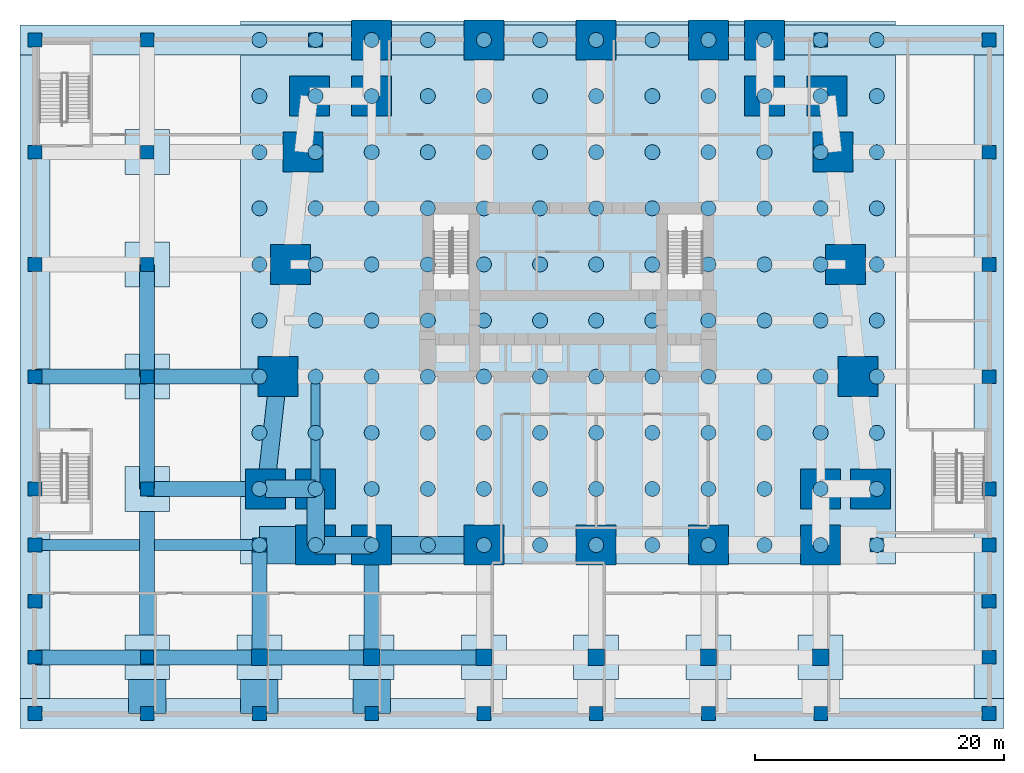
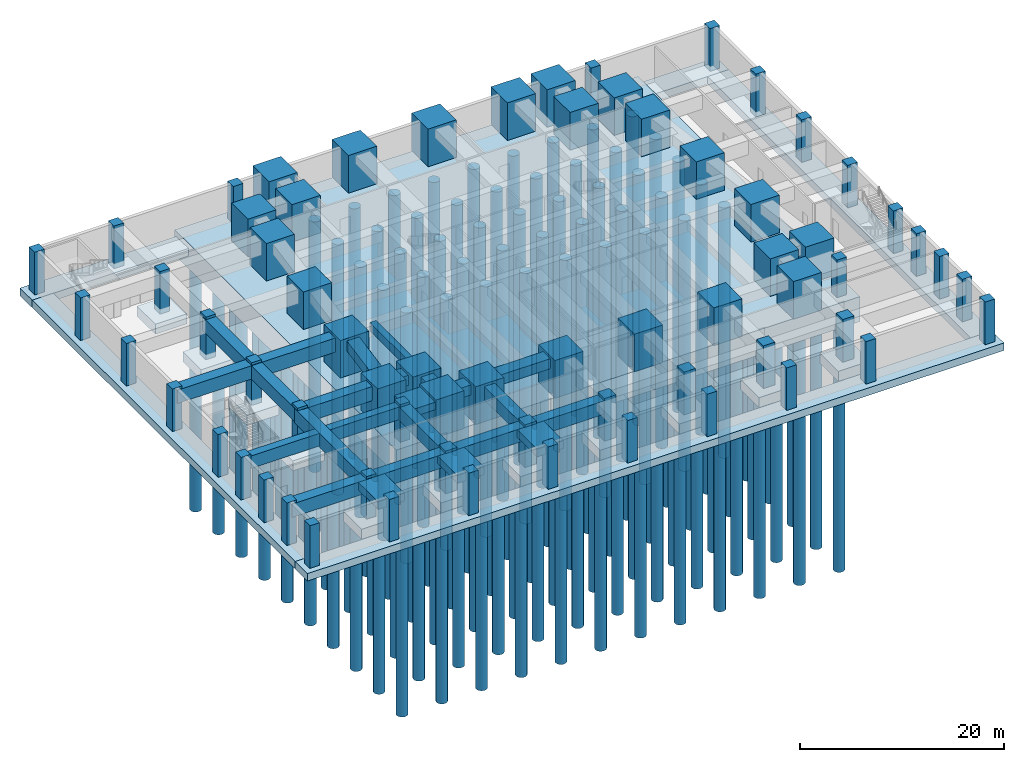
# One storey, part 1 of 9: 120 piles, 66 columns, 24 beams, 16 footings.
"""IFC4 building model written with IfcOpenShell, lengths in metres."""

from ifc_helpers import new_model, si_unit, direction, frame, origin, origin_2d, place, context, subcontext, project, spatial, polyline, rectangle, circle, outline, extrude, material, layer, layer_set, material_profile, profile_set, type_object, element, save


model = new_model("IFC4")

# Units and contexts
model_context = context("Model", 3, precision=1e-05, world=origin(), true_north=direction((0.0, 1.0)))
body_context = subcontext(model_context, "Body", "Model", "MODEL_VIEW")
ifc_project = project(units=[si_unit("LENGTHUNIT", "METRE"), si_unit("AREAUNIT", "SQUARE_METRE"), si_unit("VOLUMEUNIT", "CUBIC_METRE"), si_unit("PLANEANGLEUNIT", "RADIAN"), si_unit("MASSUNIT", "GRAM", prefix="KILO")], contexts=[model_context])

# Site, building, storey
site_placement = place(None, origin())
site = spatial("IfcSite", under=ifc_project, at=site_placement, CompositionType="ELEMENT")
building_placement = place(site_placement, origin())
building = spatial("IfcBuilding", under=site, at=building_placement, Name="Kilele Tower Hotel", CompositionType="ELEMENT")
storey_placement = place(building_placement, frame((0.0, 0.0, -9.0)))
storey = spatial("IfcBuildingStorey", under=building, at=storey_placement, Name="B2", CompositionType="ELEMENT", Elevation=-9.0)

# Piles
ifc_material_1 = material(Name="Concrete C40/50", Category="concrete")
ifc_material_profile_1 = material_profile(ifc_material_1, circle(Radius=0.60009765625, at=origin_2d()))
ifc_profile_set_1 = profile_set([ifc_material_profile_1], Name="Concrete C40/50")
pile_type = type_object("IfcPileType", Name="Bored pile 1200", PredefinedType="BORED", material=ifc_profile_set_1)
for number, where, z_axis, x_axis, name in (
    (1, (0.0, 0.0, -3.0), (0.0, 0.0, -1.0), (1.0, 0.0, 0.0), "Pile P1 5/D"),
    (2, (0.0, 4.5, -3.0), (0.0, 0.0, -1.0), (1.0, 0.0, 0.0), "Pile P1 5/E"),
    (3, (0.0, 9.0, -3.0), (0.0, 0.0, -1.0), (1.0, 0.0, 0.0), "Pile P1 5/F"),
    (4, (0.0, 13.5, -3.0), (0.0, 0.0, -1.0), (1.0, 0.0, 0.0), "Pile P1 5/G"),
    (5, (0.0, 18.0, -3.0), (0.0, 0.0, -1.0), (1.0, 0.0, 0.0), "Pile P1 5/H"),
    (6, (0.0, 22.5, -3.0), (0.0, 0.0, -1.0), (1.0, 0.0, 0.0), "Pile P1 5/J"),
    (7, (0.0, 27.0, -3.0), (0.0, 0.0, -1.0), (1.0, 0.0, 0.0), "Pile P1 5/K"),
    (8, (0.0, 31.5, -3.0), (0.0, 0.0, -1.0), (1.0, 0.0, 0.0), "Pile P1 5/L"),
    (9, (0.0, 36.0, -3.0), (0.0, 0.0, -1.0), (1.0, 0.0, 0.0), "Pile P1 5/M"),
    (10, (0.0, 40.5, -3.0), (0.0, 0.0, -1.0), (1.0, 0.0, 0.0), "Pile P1 5/N"),
    (11, (4.5, 0.0, -3.0), (0.0, 0.0, -1.0), (1.0, 0.0, 0.0), "Pile P1 6/D"),
    (12, (4.5, 4.5, -3.0), (0.0, 0.0, -1.0), (1.0, 0.0, 0.0), "Pile P1 6/E"),
    (13, (4.5, 9.0, -3.0), (0.0, 0.0, -1.0), (1.0, 0.0, 0.0), "Pile P1 6/F"),
    (14, (4.5, 13.5, -3.0), (0.0, 0.0, -1.0), (1.0, 0.0, 0.0), "Pile P1 6/G"),
    (15, (4.5, 18.0, -3.0), (0.0, 0.0, -1.0), (1.0, 0.0, 0.0), "Pile P1 6/H"),
    (16, (4.5, 22.5, -3.0), (0.0, 0.0, -1.0), (1.0, 0.0, 0.0), "Pile P1 6/J"),
    (17, (4.5, 27.0, -3.0), (0.0, 0.0, -1.0), (1.0, 0.0, 0.0), "Pile P1 6/K"),
    (18, (4.5, 31.5, -3.0), (0.0, 0.0, -1.0), (1.0, 0.0, 0.0), "Pile P1 6/L"),
    (19, (4.5, 36.0, -3.0), (0.0, 0.0, -1.0), (1.0, 0.0, 0.0), "Pile P1 6/M"),
    (20, (4.5, 40.5, -3.0), (0.0, 0.0, -1.0), (1.0, 0.0, 0.0), "Pile P1 6/N"),
    (21, (9.0, 0.0, -3.0), (0.0, 0.0, -1.0), (1.0, 0.0, 0.0), "Pile P1 7/D"),
    (22, (9.0, 4.5, -3.0), (0.0, 0.0, -1.0), (1.0, 0.0, 0.0), "Pile P1 7/E"),
    (23, (9.0, 9.0, -3.0), (0.0, 0.0, -1.0), (1.0, 0.0, 0.0), "Pile P1 7/F"),
    (24, (9.0, 13.5, -3.0), (0.0, 0.0, -1.0), (1.0, 0.0, 0.0), "Pile P1 7/G"),
    (25, (9.0, 18.0, -3.0), (0.0, 0.0, -1.0), (1.0, 0.0, 0.0), "Pile P1 7/H"),
    (26, (9.0, 22.5, -3.0), (0.0, 0.0, -1.0), (1.0, 0.0, 0.0), "Pile P1 7/J"),
    (27, (9.0, 27.0, -3.0), (0.0, 0.0, -1.0), (1.0, 0.0, 0.0), "Pile P1 7/K"),
    (28, (9.0, 31.5, -3.0), (0.0, 0.0, -1.0), (1.0, 0.0, 0.0), "Pile P1 7/L"),
    (29, (9.0, 36.0, -3.0), (0.0, 0.0, -1.0), (1.0, 0.0, 0.0), "Pile P1 7/M"),
    (30, (9.0, 40.5, -3.0), (0.0, 0.0, -1.0), (1.0, 0.0, 0.0), "Pile P1 7/N"),
    (31, (13.5, 0.0, -3.0), (0.0, 0.0, -1.0), (1.0, 0.0, 0.0), "Pile P1 8/D"),
    (32, (13.5, 4.5, -3.0), (0.0, 0.0, -1.0), (1.0, 0.0, 0.0), "Pile P1 8/E"),
    (33, (13.5, 9.0, -3.0), (0.0, 0.0, -1.0), (1.0, 0.0, 0.0), "Pile P1 8/F"),
    (34, (13.5, 13.5, -3.0), (0.0, 0.0, -1.0), (1.0, 0.0, 0.0), "Pile P1 8/G"),
    (35, (13.5, 18.0, -3.0), (0.0, 0.0, -1.0), (1.0, 0.0, 0.0), "Pile P1 8/H"),
    (36, (13.5, 22.5, -3.0), (0.0, 0.0, -1.0), (1.0, 0.0, 0.0), "Pile P1 8/J"),
    (37, (13.5, 27.0, -3.0), (0.0, 0.0, -1.0), (1.0, 0.0, 0.0), "Pile P1 8/K"),
    (38, (13.5, 31.5, -3.0), (0.0, 0.0, -1.0), (1.0, 0.0, 0.0), "Pile P1 8/L"),
    (39, (13.5, 36.0, -3.0), (0.0, 0.0, -1.0), (1.0, 0.0, 0.0), "Pile P1 8/M"),
    (40, (13.5, 40.5, -3.0), (0.0, 0.0, -1.0), (1.0, 0.0, 0.0), "Pile P1 8/N"),
    (41, (18.0, 0.0, -3.0), (0.0, 0.0, -1.0), (1.0, 0.0, 0.0), "Pile P1 9/D"),
    (42, (18.0, 4.5, -3.0), (0.0, 0.0, -1.0), (1.0, 0.0, 0.0), "Pile P1 9/E"),
    (43, (18.0, 9.0, -3.0), (0.0, 0.0, -1.0), (1.0, 0.0, 0.0), "Pile P1 9/F"),
    (44, (18.0, 13.5, -3.0), (0.0, 0.0, -1.0), (1.0, 0.0, 0.0), "Pile P1 9/G"),
    (45, (18.0, 18.0, -3.0), (0.0, 0.0, -1.0), (1.0, 0.0, 0.0), "Pile P1 9/H"),
    (46, (18.0, 22.5, -3.0), (0.0, 0.0, -1.0), (1.0, 0.0, 0.0), "Pile P1 9/J"),
    (47, (18.0, 27.0, -3.0), (0.0, 0.0, -1.0), (1.0, 0.0, 0.0), "Pile P1 9/K"),
    (48, (18.0, 31.5, -3.0), (0.0, 0.0, -1.0), (1.0, 0.0, 0.0), "Pile P1 9/L"),
    (49, (18.0, 36.0, -3.0), (0.0, 0.0, -1.0), (1.0, 0.0, 0.0), "Pile P1 9/M"),
    (50, (18.0, 40.5, -3.0), (0.0, 0.0, -1.0), (1.0, 0.0, 0.0), "Pile P1 9/N"),
    (51, (22.5, 0.0, -3.0), (0.0, 0.0, -1.0), (1.0, 0.0, 0.0), "Pile P1 10/D"),
    (52, (22.5, 4.5, -3.0), (0.0, 0.0, -1.0), (1.0, 0.0, 0.0), "Pile P1 10/E"),
    (53, (22.5, 9.0, -3.0), (0.0, 0.0, -1.0), (1.0, 0.0, 0.0), "Pile P1 10/F"),
    (54, (22.5, 13.5, -3.0), (0.0, 0.0, -1.0), (1.0, 0.0, 0.0), "Pile P1 10/G"),
    (55, (22.5, 18.0, -3.0), (0.0, 0.0, -1.0), (1.0, 0.0, 0.0), "Pile P1 10/H"),
    (56, (22.5, 22.5, -3.0), (0.0, 0.0, -1.0), (1.0, 0.0, 0.0), "Pile P1 10/J"),
    (57, (22.5, 27.0, -3.0), (0.0, 0.0, -1.0), (1.0, 0.0, 0.0), "Pile P1 10/K"),
    (58, (22.5, 31.5, -3.0), (0.0, 0.0, -1.0), (1.0, 0.0, 0.0), "Pile P1 10/L"),
    (59, (22.5, 36.0, -3.0), (0.0, 0.0, -1.0), (1.0, 0.0, 0.0), "Pile P1 10/M"),
    (60, (22.5, 40.5, -3.0), (0.0, 0.0, -1.0), (1.0, 0.0, 0.0), "Pile P1 10/N"),
    (61, (27.0, 0.0, -3.0), (0.0, 0.0, -1.0), (1.0, 0.0, 0.0), "Pile P1 11/D"),
    (62, (27.0, 4.5, -3.0), (0.0, 0.0, -1.0), (1.0, 0.0, 0.0), "Pile P1 11/E"),
    (63, (27.0, 9.0, -3.0), (0.0, 0.0, -1.0), (1.0, 0.0, 0.0), "Pile P1 11/F"),
    (64, (27.0, 13.5, -3.0), (0.0, 0.0, -1.0), (1.0, 0.0, 0.0), "Pile P1 11/G"),
    (65, (27.0, 18.0, -3.0), (0.0, 0.0, -1.0), (1.0, 0.0, 0.0), "Pile P1 11/H"),
    (66, (27.0, 22.5, -3.0), (0.0, 0.0, -1.0), (1.0, 0.0, 0.0), "Pile P1 11/J"),
    (67, (27.0, 27.0, -3.0), (0.0, 0.0, -1.0), (1.0, 0.0, 0.0), "Pile P1 11/K"),
    (68, (27.0, 31.5, -3.0), (0.0, 0.0, -1.0), (1.0, 0.0, 0.0), "Pile P1 11/L"),
    (69, (27.0, 36.0, -3.0), (0.0, 0.0, -1.0), (1.0, 0.0, 0.0), "Pile P1 11/M"),
    (70, (27.0, 40.5, -3.0), (0.0, 0.0, -1.0), (1.0, 0.0, 0.0), "Pile P1 11/N"),
    (71, (31.5, 0.0, -3.0), (0.0, 0.0, -1.0), (1.0, 0.0, 0.0), "Pile P1 12/D"),
    (72, (31.5, 4.5, -3.0), (0.0, 0.0, -1.0), (1.0, 0.0, 0.0), "Pile P1 12/E"),
    (73, (31.5, 9.0, -3.0), (0.0, 0.0, -1.0), (1.0, 0.0, 0.0), "Pile P1 12/F"),
    (74, (31.5, 13.5, -3.0), (0.0, 0.0, -1.0), (1.0, 0.0, 0.0), "Pile P1 12/G"),
    (75, (31.5, 18.0, -3.0), (0.0, 0.0, -1.0), (1.0, 0.0, 0.0), "Pile P1 12/H"),
    (76, (31.5, 22.5, -3.0), (0.0, 0.0, -1.0), (1.0, 0.0, 0.0), "Pile P1 12/J"),
    (77, (31.5, 27.0, -3.0), (0.0, 0.0, -1.0), (1.0, 0.0, 0.0), "Pile P1 12/K"),
    (78, (31.5, 31.5, -3.0), (0.0, 0.0, -1.0), (1.0, 0.0, 0.0), "Pile P1 12/L"),
    (79, (31.5, 36.0, -3.0), (0.0, 0.0, -1.0), (1.0, 0.0, 0.0), "Pile P1 12/M"),
    (80, (31.5, 40.5, -3.0), (0.0, 0.0, -1.0), (1.0, 0.0, 0.0), "Pile P1 12/N"),
    (81, (36.0, 0.0, -3.0), (0.0, 0.0, -1.0), (1.0, 0.0, 0.0), "Pile P1 13/D"),
    (82, (36.0, 4.5, -3.0), (0.0, 0.0, -1.0), (1.0, 0.0, 0.0), "Pile P1 13/E"),
    (83, (36.0, 9.0, -3.0), (0.0, 0.0, -1.0), (1.0, 0.0, 0.0), "Pile P1 13/F"),
    (84, (36.0, 13.5, -3.0), (0.0, 0.0, -1.0), (1.0, 0.0, 0.0), "Pile P1 13/G"),
    (85, (36.0, 18.0, -3.0), (0.0, 0.0, -1.0), (1.0, 0.0, 0.0), "Pile P1 13/H"),
    (86, (36.0, 22.5, -3.0), (0.0, 0.0, -1.0), (1.0, 0.0, 0.0), "Pile P1 13/J"),
    (87, (36.0, 27.0, -3.0), (0.0, 0.0, -1.0), (1.0, 0.0, 0.0), "Pile P1 13/K"),
    (88, (36.0, 31.5, -3.0), (0.0, 0.0, -1.0), (1.0, 0.0, 0.0), "Pile P1 13/L"),
    (89, (36.0, 36.0, -3.0), (0.0, 0.0, -1.0), (1.0, 0.0, 0.0), "Pile P1 13/M"),
    (90, (36.0, 40.5, -3.0), (0.0, 0.0, -1.0), (1.0, 0.0, 0.0), "Pile P1 13/N"),
    (91, (40.5, 0.0, -3.0), (0.0, 0.0, -1.0), (1.0, 0.0, 0.0), "Pile P1 14/D"),
    (92, (40.5, 4.5, -3.0), (0.0, 0.0, -1.0), (1.0, 0.0, 0.0), "Pile P1 14/E"),
    (93, (40.5, 9.0, -3.0), (0.0, 0.0, -1.0), (1.0, 0.0, 0.0), "Pile P1 14/F"),
    (94, (40.5, 13.5, -3.0), (0.0, 0.0, -1.0), (1.0, 0.0, 0.0), "Pile P1 14/G"),
    (95, (40.5, 18.0, -3.0), (0.0, 0.0, -1.0), (1.0, 0.0, 0.0), "Pile P1 14/H"),
    (96, (40.5, 22.5, -3.0), (0.0, 0.0, -1.0), (1.0, 0.0, 0.0), "Pile P1 14/J"),
    (97, (40.5, 27.0, -3.0), (0.0, 0.0, -1.0), (1.0, 0.0, 0.0), "Pile P1 14/K"),
    (98, (40.5, 31.5, -3.0), (0.0, 0.0, -1.0), (1.0, 0.0, 0.0), "Pile P1 14/L"),
    (99, (40.5, 36.0, -3.0), (0.0, 0.0, -1.0), (1.0, 0.0, 0.0), "Pile P1 14/M"),
    (100, (40.5, 40.5, -3.0), (0.0, 0.0, -1.0), (1.0, 0.0, 0.0), "Pile P1 14/N"),
    (101, (45.0, 0.0, -3.0), (0.0, 0.0, -1.0), (1.0, 0.0, 0.0), "Pile P1 15/D"),
    (102, (45.0, 4.5, -3.0), (0.0, 0.0, -1.0), (1.0, 0.0, 0.0), "Pile P1 15/E"),
    (103, (45.0, 9.0, -3.0), (0.0, 0.0, -1.0), (1.0, 0.0, 0.0), "Pile P1 15/F"),
    (104, (45.0, 13.5, -3.0), (0.0, 0.0, -1.0), (1.0, 0.0, 0.0), "Pile P1 15/G"),
    (105, (45.0, 18.0, -3.0), (0.0, 0.0, -1.0), (1.0, 0.0, 0.0), "Pile P1 15/H"),
    (106, (45.0, 22.5, -3.0), (0.0, 0.0, -1.0), (1.0, 0.0, 0.0), "Pile P1 15/J"),
    (107, (45.0, 27.0, -3.0), (0.0, 0.0, -1.0), (1.0, 0.0, 0.0), "Pile P1 15/K"),
    (108, (45.0, 31.5, -3.0), (0.0, 0.0, -1.0), (1.0, 0.0, 0.0), "Pile P1 15/L"),
    (109, (45.0, 36.0, -3.0), (0.0, 0.0, -1.0), (1.0, 0.0, 0.0), "Pile P1 15/M"),
    (110, (45.0, 40.5, -3.0), (0.0, 0.0, -1.0), (1.0, 0.0, 0.0), "Pile P1 15/N"),
    (111, (49.5, 0.0, -3.0), (0.0, 0.0, -1.0), (1.0, 0.0, 0.0), "Pile P1 16/D"),
    (112, (49.5, 4.5, -3.0), (0.0, 0.0, -1.0), (1.0, 0.0, 0.0), "Pile P1 16/E"),
    (113, (49.5, 9.0, -3.0), (0.0, 0.0, -1.0), (1.0, 0.0, 0.0), "Pile P1 16/F"),
    (114, (49.5, 13.5, -3.0), (0.0, 0.0, -1.0), (1.0, 0.0, 0.0), "Pile P1 16/G"),
    (115, (49.5, 18.0, -3.0), (0.0, 0.0, -1.0), (1.0, 0.0, 0.0), "Pile P1 16/H"),
    (116, (49.5, 22.5, -3.0), (0.0, 0.0, -1.0), (1.0, 0.0, 0.0), "Pile P1 16/J"),
    (117, (49.5, 27.0, -3.0), (0.0, 0.0, -1.0), (1.0, 0.0, 0.0), "Pile P1 16/K"),
    (118, (49.5, 31.5, -3.0), (0.0, 0.0, -1.0), (1.0, 0.0, 0.0), "Pile P1 16/L"),
    (119, (49.5, 36.0, -3.0), (0.0, 0.0, -1.0), (1.0, 0.0, 0.0), "Pile P1 16/M"),
    (120, (49.5, 40.5, -3.0), (0.0, 0.0, -1.0), (1.0, 0.0, 0.0), "Pile P1 16/N"),
):
    element("IfcPile", number, at=place(storey_placement, frame(where, z_axis=z_axis, x_axis=x_axis)), inside=storey, type_object=pile_type, Name=name, PredefinedType="BORED", context=body_context, shape_type="SweptSolid", body=[
        extrude(circle(Radius=0.60009765625, at=origin_2d()), origin(), (0.0, 0.0, 1.0), 30.0),
    ])

# Footings
ifc_material_2 = material(Name="Concrete C40/50", Category="concrete")
ifc_layer_1 = layer(ifc_material_2, 1.199951171875)
ifc_layer_set_1 = layer_set([ifc_layer_1], Name="Concrete C40/50")
footing_type_1 = type_object("IfcFootingType", Name="Pad footing 3600", PredefinedType="PAD_FOOTING", material=ifc_layer_set_1)
for number, where, z_axis, x_axis, name in (
    (121, (-9.0, 4.5, -1.7998046875), (0.0, 0.0, 1.0), (1.0, 0.0, 0.0), "Pad footing F1"),
    (122, (-9.0, 13.5, -1.7998046875), (0.0, 0.0, 1.0), (1.0, 0.0, 0.0), "Pad footing F1"),
    (123, (-9.0, 22.5, -1.7998046875), (0.0, 0.0, 1.0), (1.0, 0.0, 0.0), "Pad footing F1"),
    (124, (-9.0, 31.5, -1.7998046875), (0.0, 0.0, 1.0), (1.0, 0.0, 0.0), "Pad footing F1"),
    (125, (0.0, -9.0, -1.7998046875), (0.0, 0.0, 1.0), (1.0, 0.0, 0.0), "Pad footing F1"),
    (126, (9.0, -9.0, -1.7998046875), (0.0, 0.0, 1.0), (1.0, 0.0, 0.0), "Pad footing F1"),
    (127, (18.0, -9.0, -1.7998046875), (0.0, 0.0, 1.0), (1.0, 0.0, 0.0), "Pad footing F1"),
    (128, (27.0, -9.0, -1.7998046875), (0.0, 0.0, 1.0), (1.0, 0.0, 0.0), "Pad footing F1"),
    (129, (36.0, -9.0, -1.7998046875), (0.0, 0.0, 1.0), (1.0, 0.0, 0.0), "Pad footing F1"),
    (130, (45.0, -9.0, -1.7998046875), (0.0, 0.0, 1.0), (1.0, 0.0, 0.0), "Pad footing F1"),
    (131, (-9.0, -9.0, -1.7998046875), (0.0, 0.0, 1.0), (1.0, 0.0, 0.0), "Pad footing F1"),
):
    element("IfcFooting", number, at=place(storey_placement, frame(where, z_axis=z_axis, x_axis=x_axis)), inside=storey, type_object=footing_type_1, Name=name, PredefinedType="PAD_FOOTING", context=body_context, shape_type="SweptSolid", body=[
        extrude(rectangle(XDim=3.60009765625, YDim=3.60009765625, at=origin_2d()), origin(), (0.0, 0.0, 1.0), 1.199951171875),
    ])
ifc_material_3 = material(Name="Concrete C40/50", Category="concrete")
ifc_layer_2 = layer(ifc_material_3, 3.0)
ifc_layer_set_2 = layer_set([ifc_layer_2], Name="Concrete C40/50")
footing_type_2 = type_object("IfcFootingType", Name="Piled raft 3000", PredefinedType="PILE_CAP", material=ifc_layer_set_2)
footing_1_placement = place(storey_placement, frame((0.0, 0.0, -3.0)))
element("IfcFooting", 132, at=footing_1_placement, inside=storey, type_object=footing_type_2, Name="Tower piled raft R1", PredefinedType="PILE_CAP", context=body_context, shape_type="SweptSolid", body=[
    extrude(outline(polyline([(-1.5, -1.5), (51.0, -1.5), (51.0, 42.0), (-1.5, 42.0), (-1.5, -1.5)])), origin(), (0.0, 0.0, 1.0), 3.0),
])
ifc_material_4 = material(Name="Concrete C40/50", Category="concrete")
ifc_layer_3 = layer(ifc_material_4, 0.89990234375)
ifc_layer_set_3 = layer_set([ifc_layer_3], Name="Concrete C40/50")
footing_type_3 = type_object("IfcFootingType", Name="Strip footing 2400", PredefinedType="STRIP_FOOTING", material=ifc_layer_set_3)
footing_2_placement = place(storey_placement, frame((0.0, 0.0, -1.5)))
element("IfcFooting", 133, at=footing_2_placement, inside=storey, type_object=footing_type_3, Name="Strip footing SF1 S", PredefinedType="STRIP_FOOTING", context=body_context, shape_type="SweptSolid", body=[
    extrude(outline(polyline([(-19.199951171875, -14.699951171875), (59.699951171875, -14.699951171875), (59.699951171875, -12.300048828125), (-19.199951171875, -12.300048828125), (-19.199951171875, -14.699951171875)])), origin(), (0.0, 0.0, 1.0), 0.89990234375),
])
footing_3_placement = place(storey_placement, frame((0.0, 0.0, -1.5)))
element("IfcFooting", 134, at=footing_3_placement, inside=storey, type_object=footing_type_3, Name="Strip footing SF1 E", PredefinedType="STRIP_FOOTING", context=body_context, shape_type="SweptSolid", body=[
    extrude(outline(polyline([(57.300048828125, -12.300048828125), (59.699951171875, -12.300048828125), (59.699951171875, 39.300048828125), (57.300048828125, 39.300048828125), (57.300048828125, -12.300048828125)])), origin(), (0.0, 0.0, 1.0), 0.89990234375),
])
footing_4_placement = place(storey_placement, frame((0.0, 0.0, -1.5)))
element("IfcFooting", 135, at=footing_4_placement, inside=storey, type_object=footing_type_3, Name="Strip footing SF1 N", PredefinedType="STRIP_FOOTING", context=body_context, shape_type="SweptSolid", body=[
    extrude(outline(polyline([(-19.199951171875, 39.300048828125), (59.699951171875, 39.300048828125), (59.699951171875, 41.699951171875), (-19.199951171875, 41.699951171875), (-19.199951171875, 39.300048828125)])), origin(), (0.0, 0.0, 1.0), 0.89990234375),
])
footing_5_placement = place(storey_placement, frame((0.0, 0.0, -1.5)))
element("IfcFooting", 136, at=footing_5_placement, inside=storey, type_object=footing_type_3, Name="Strip footing SF1 W", PredefinedType="STRIP_FOOTING", context=body_context, shape_type="SweptSolid", body=[
    extrude(outline(polyline([(-19.199951171875, -12.300048828125), (-16.800048828125, -12.300048828125), (-16.800048828125, 39.300048828125), (-19.199951171875, 39.300048828125), (-19.199951171875, -12.300048828125)])), origin(), (0.0, 0.0, 1.0), 0.89990234375),
])

# Columns
ifc_material_5 = material(Name="Concrete C60/75", Category="concrete")
ifc_material_profile_2 = material_profile(ifc_material_5, rectangle(XDim=1.10009765625, YDim=1.10009765625, at=origin_2d()))
ifc_profile_set_2 = profile_set([ifc_material_profile_2], Name="Concrete C60/75")
column_type_1 = type_object("IfcColumnType", Name="Column RC 1100x1100 C60/75", PredefinedType="COLUMN", material=ifc_profile_set_2)
for number, where, z_axis, x_axis, name in (
    (137, (-18.0, -13.5, -0.60009765625), (0.0, 0.0, 1.0), (1.0, 0.0, 0.0), "Column PC1 B2"),
    (138, (-9.0, -13.5, -0.60009765625), (0.0, 0.0, 1.0), (1.0, 0.0, 0.0), "Column PC1 B2"),
    (139, (58.5, -13.5, -0.60009765625), (0.0, 0.0, 1.0), (1.0, 0.0, 0.0), "Column PC1 B2"),
    (140, (-18.0, -4.5, -0.60009765625), (0.0, 0.0, 1.0), (1.0, 0.0, 0.0), "Column PC1 B2"),
    (141, (58.5, -4.5, -0.60009765625), (0.0, 0.0, 1.0), (1.0, 0.0, 0.0), "Column PC1 B2"),
    (142, (-18.0, 4.5, -0.60009765625), (0.0, 0.0, 1.0), (1.0, 0.0, 0.0), "Column PC1 B2"),
    (143, (-9.0, 4.5, -0.60009765625), (0.0, 0.0, 1.0), (1.0, 0.0, 0.0), "Column PC1 B2"),
    (144, (58.5, 4.5, -0.60009765625), (0.0, 0.0, 1.0), (1.0, 0.0, 0.0), "Column PC1 B2"),
    (145, (-18.0, 13.5, -0.60009765625), (0.0, 0.0, 1.0), (1.0, 0.0, 0.0), "Column PC1 B2"),
    (146, (-9.0, 13.5, -0.60009765625), (0.0, 0.0, 1.0), (1.0, 0.0, 0.0), "Column PC1 B2"),
    (147, (58.5, 13.5, -0.60009765625), (0.0, 0.0, 1.0), (1.0, 0.0, 0.0), "Column PC1 B2"),
    (148, (-18.0, 22.5, -0.60009765625), (0.0, 0.0, 1.0), (1.0, 0.0, 0.0), "Column PC1 B2"),
    (149, (-9.0, 22.5, -0.60009765625), (0.0, 0.0, 1.0), (1.0, 0.0, 0.0), "Column PC1 B2"),
    (150, (58.5, 22.5, -0.60009765625), (0.0, 0.0, 1.0), (1.0, 0.0, 0.0), "Column PC1 B2"),
    (151, (-18.0, 31.5, -0.60009765625), (0.0, 0.0, 1.0), (1.0, 0.0, 0.0), "Column PC1 B2"),
    (152, (-9.0, 31.5, -0.60009765625), (0.0, 0.0, 1.0), (1.0, 0.0, 0.0), "Column PC1 B2"),
    (153, (58.5, 31.5, -0.60009765625), (0.0, 0.0, 1.0), (1.0, 0.0, 0.0), "Column PC1 B2"),
    (154, (-18.0, 40.5, -0.60009765625), (0.0, 0.0, 1.0), (1.0, 0.0, 0.0), "Column PC1 B2"),
    (155, (-9.0, 40.5, -0.60009765625), (0.0, 0.0, 1.0), (1.0, 0.0, 0.0), "Column PC1 B2"),
    (156, (58.5, 40.5, -0.60009765625), (0.0, 0.0, 1.0), (1.0, 0.0, 0.0), "Column PC1 B2"),
    (157, (-18.0, 0.0, -0.60009765625), (0.0, 0.0, 1.0), (1.0, 0.0, 0.0), "Column PC1 B2"),
    (158, (58.5, 0.0, -0.60009765625), (0.0, 0.0, 1.0), (1.0, 0.0, 0.0), "Column PC1 B2"),
    (159, (0.0, -13.5, -0.60009765625), (0.0, 0.0, 1.0), (1.0, 0.0, 0.0), "Column PC1 B2"),
    (160, (9.0, -13.5, -0.60009765625), (0.0, 0.0, 1.0), (1.0, 0.0, 0.0), "Column PC1 B2"),
    (161, (18.0, -13.5, -0.60009765625), (0.0, 0.0, 1.0), (1.0, 0.0, 0.0), "Column PC1 B2"),
    (162, (27.0, -13.5, -0.60009765625), (0.0, 0.0, 1.0), (1.0, 0.0, 0.0), "Column PC1 B2"),
    (163, (36.0, -13.5, -0.60009765625), (0.0, 0.0, 1.0), (1.0, 0.0, 0.0), "Column PC1 B2"),
    (164, (45.0, -13.5, -0.60009765625), (0.0, 0.0, 1.0), (1.0, 0.0, 0.0), "Column PC1 B2"),
    (165, (-18.0, -9.0, -0.60009765625), (0.0, 0.0, 1.0), (1.0, 0.0, 0.0), "Column PC1 B2"),
    (166, (58.5, -9.0, -0.60009765625), (0.0, 0.0, 1.0), (1.0, 0.0, 0.0), "Column PC1 B2"),
    (167, (-9.0, -9.0, -0.60009765625), (0.0, 0.0, 1.0), (1.0, 0.0, 0.0), "Column PC1 B2"),
    (168, (0.0, 0.0, -0.60009765625), (0.0, 0.0, 1.0), (1.0, 0.0, 0.0), "Column PC1 B2"),
    (169, (49.5, 0.0, -0.60009765625), (0.0, 0.0, 1.0), (1.0, 0.0, 0.0), "Column PC1 B2"),
    (170, (4.5, 40.5, -0.60009765625), (0.0, 0.0, 1.0), (1.0, 0.0, 0.0), "Column PC1 B2"),
    (171, (45.0, 40.5, -0.60009765625), (0.0, 0.0, 1.0), (1.0, 0.0, 0.0), "Column PC1 B2"),
):
    element("IfcColumn", number, at=place(storey_placement, frame(where, z_axis=z_axis, x_axis=x_axis)), inside=storey, type_object=column_type_1, Name=name, PredefinedType="COLUMN", context=body_context, shape_type="SweptSolid", body=[
        extrude(rectangle(XDim=1.10009765625, YDim=1.10009765625, at=origin_2d()), origin(), (0.0, 0.0, 1.0), 5.10009765625),
    ])
ifc_material_6 = material(Name="Concrete C60/75", Category="concrete")
ifc_material_profile_3 = material_profile(ifc_material_6, rectangle(XDim=1.300048828125, YDim=1.300048828125, at=origin_2d()))
ifc_profile_set_3 = profile_set([ifc_material_profile_3], Name="Concrete C60/75")
column_type_2 = type_object("IfcColumnType", Name="Column RC 1300x1300 C60/75", PredefinedType="COLUMN", material=ifc_profile_set_3)
for number, where, z_axis, x_axis, name in (
    (172, (0.0, -9.0, -0.60009765625), (0.0, 0.0, 1.0), (1.0, 0.0, 0.0), "Column PC2 B2"),
    (173, (9.0, -9.0, -0.60009765625), (0.0, 0.0, 1.0), (1.0, 0.0, 0.0), "Column PC2 B2"),
    (174, (18.0, -9.0, -0.60009765625), (0.0, 0.0, 1.0), (1.0, 0.0, 0.0), "Column PC2 B2"),
    (175, (27.0, -9.0, -0.60009765625), (0.0, 0.0, 1.0), (1.0, 0.0, 0.0), "Column PC2 B2"),
    (176, (36.0, -9.0, -0.60009765625), (0.0, 0.0, 1.0), (1.0, 0.0, 0.0), "Column PC2 B2"),
    (177, (45.0, -9.0, -0.60009765625), (0.0, 0.0, 1.0), (1.0, 0.0, 0.0), "Column PC2 B2"),
):
    element("IfcColumn", number, at=place(storey_placement, frame(where, z_axis=z_axis, x_axis=x_axis)), inside=storey, type_object=column_type_2, Name=name, PredefinedType="COLUMN", context=body_context, shape_type="SweptSolid", body=[
        extrude(rectangle(XDim=1.300048828125, YDim=1.300048828125, at=origin_2d()), origin(), (0.0, 0.0, 1.0), 5.10009765625),
    ])
ifc_material_7 = material(Name="Concrete C80/95", Category="concrete")
ifc_material_profile_4 = material_profile(ifc_material_7, rectangle(XDim=3.199951171875, YDim=3.199951171875, at=origin_2d()))
ifc_profile_set_4 = profile_set([ifc_material_profile_4], Name="Concrete C80/95")
column_type_3 = type_object("IfcColumnType", Name="Mega column RC 3200x3200 C80/95", PredefinedType="COLUMN", material=ifc_profile_set_4)
for number, where, z_axis, x_axis, name in (
    (178, (0.5, 4.5, 0.0), (0.0, 0.0, 1.0), (1.0, 0.0, 0.0), "Column MC1 B2"),
    (179, (4.5, 4.5, 0.0), (0.0, 0.0, 1.0), (1.0, 0.0, 0.0), "Column MC1 B2"),
    (180, (4.5, 0.0, 0.0), (0.0, 0.0, 1.0), (1.0, 0.0, 0.0), "Column MC1 B2"),
    (181, (9.0, 0.0, 0.0), (0.0, 0.0, 1.0), (1.0, 0.0, 0.0), "Column MC1 B2"),
    (182, (18.0, 0.0, 0.0), (0.0, 0.0, 1.0), (1.0, 0.0, 0.0), "Column MC1 B2"),
    (183, (27.0, 0.0, 0.0), (0.0, 0.0, 1.0), (1.0, 0.0, 0.0), "Column MC1 B2"),
    (184, (36.0, 0.0, 0.0), (0.0, 0.0, 1.0), (1.0, 0.0, 0.0), "Column MC1 B2"),
    (185, (45.0, 0.0, 0.0), (0.0, 0.0, 1.0), (1.0, 0.0, 0.0), "Column MC1 B2"),
    (186, (45.0, 4.5, 0.0), (0.0, 0.0, 1.0), (1.0, 0.0, 0.0), "Column MC1 B2"),
    (187, (49.0, 4.5, 0.0), (0.0, 0.0, 1.0), (1.0, 0.0, 0.0), "Column MC1 B2"),
    (188, (48.0, 13.5, 0.0), (0.0, 0.0, 1.0), (1.0, 0.0, 0.0), "Column MC1 B2"),
    (189, (47.0, 22.5, 0.0), (0.0, 0.0, 1.0), (1.0, 0.0, 0.0), "Column MC1 B2"),
    (190, (46.0, 31.5, 0.0), (0.0, 0.0, 1.0), (1.0, 0.0, 0.0), "Column MC1 B2"),
    (191, (45.5, 36.0, 0.0), (0.0, 0.0, 1.0), (1.0, 0.0, 0.0), "Column MC1 B2"),
    (192, (40.5, 36.0, 0.0), (0.0, 0.0, 1.0), (1.0, 0.0, 0.0), "Column MC1 B2"),
    (193, (40.5, 40.5, 0.0), (0.0, 0.0, 1.0), (1.0, 0.0, 0.0), "Column MC1 B2"),
    (194, (36.0, 40.5, 0.0), (0.0, 0.0, 1.0), (1.0, 0.0, 0.0), "Column MC1 B2"),
    (195, (27.0, 40.5, 0.0), (0.0, 0.0, 1.0), (1.0, 0.0, 0.0), "Column MC1 B2"),
    (196, (18.0, 40.5, 0.0), (0.0, 0.0, 1.0), (1.0, 0.0, 0.0), "Column MC1 B2"),
    (197, (9.0, 40.5, 0.0), (0.0, 0.0, 1.0), (1.0, 0.0, 0.0), "Column MC1 B2"),
    (198, (9.0, 36.0, 0.0), (0.0, 0.0, 1.0), (1.0, 0.0, 0.0), "Column MC1 B2"),
    (199, (4.0, 36.0, 0.0), (0.0, 0.0, 1.0), (1.0, 0.0, 0.0), "Column MC1 B2"),
    (200, (3.5, 31.5, 0.0), (0.0, 0.0, 1.0), (1.0, 0.0, 0.0), "Column MC1 B2"),
    (201, (2.5, 22.5, 0.0), (0.0, 0.0, 1.0), (1.0, 0.0, 0.0), "Column MC1 B2"),
    (202, (1.5, 13.5, 0.0), (0.0, 0.0, 1.0), (1.0, 0.0, 0.0), "Column MC1 B2"),
):
    element("IfcColumn", number, at=place(storey_placement, frame(where, z_axis=z_axis, x_axis=x_axis)), inside=storey, type_object=column_type_3, Name=name, PredefinedType="COLUMN", context=body_context, shape_type="SweptSolid", body=[
        extrude(rectangle(XDim=3.199951171875, YDim=3.199951171875, at=origin_2d()), origin(), (0.0, 0.0, 1.0), 4.5),
    ])

# Beams
ifc_material_8 = material(Name="Concrete C60/75", Category="concrete")
ifc_material_profile_5 = material_profile(ifc_material_8, rectangle(XDim=1.199951171875, YDim=1.60009765625, at=origin_2d()))
ifc_profile_set_5 = profile_set([ifc_material_profile_5], Name="Concrete C60/75")
beam_type_1 = type_object("IfcBeamType", Name="Beam RC 1200x1600 C60/75", PredefinedType="BEAM", material=ifc_profile_set_5)
for number, where, z_axis, x_axis, name in (
    (203, (-9.0, 4.5, 3.39990234375), (0.0, 1.0, 0.0), (-1.0, 0.0, 0.0), "Beam PB2 level B1"),
    (204, (-18.0, 13.5, 3.39990234375), (1.0, 0.0, 0.0), (0.0, 1.0, 0.0), "Beam PB2 level B1"),
    (205, (-9.0, 13.5, 3.39990234375), (0.0, 1.0, 0.0), (-1.0, 0.0, 0.0), "Beam PB2 level B1"),
    (206, (0.0, -9.0, 3.39990234375), (1.0, 0.0, 0.0), (0.0, 1.0, 0.0), "Beam PB2 level B1"),
    (207, (0.0, -9.0, 3.39990234375), (0.0, 1.0, 0.0), (-1.0, 0.0, 0.0), "Beam PB2 level B1"),
    (208, (9.0, -9.0, 3.39990234375), (0.0, 1.0, 0.0), (-1.0, 0.0, 0.0), "Beam PB2 level B1"),
    (209, (9.0, -9.0, 3.39990234375), (1.0, 0.0, 0.0), (0.0, 1.0, 0.0), "Beam PB2 level B1"),
    (210, (-18.0, -9.0, 3.39990234375), (1.0, 0.0, 0.0), (0.0, 1.0, 0.0), "Beam PB2 level B1"),
    (211, (-9.0, -9.0, 3.39990234375), (1.0, 0.0, 0.0), (0.0, 1.0, 0.0), "Beam PB2 level B1"),
):
    element("IfcBeam", number, at=place(storey_placement, frame(where, z_axis=z_axis, x_axis=x_axis)), inside=storey, type_object=beam_type_1, Name=name, PredefinedType="BEAM", context=body_context, shape_type="SweptSolid", body=[
        extrude(rectangle(XDim=1.199951171875, YDim=1.60009765625, at=origin_2d()), origin(), (0.0, 0.0, 1.0), 9.0),
    ])
ifc_material_9 = material(Name="Concrete C60/75", Category="concrete")
ifc_material_profile_6 = material_profile(ifc_material_9, rectangle(XDim=1.199951171875, YDim=1.699951171875, at=origin_2d()))
ifc_profile_set_6 = profile_set([ifc_material_profile_6], Name="Concrete C60/75")
beam_type_2 = type_object("IfcBeamType", Name="Beam RC 1200x1700 C60/75", PredefinedType="BEAM", material=ifc_profile_set_6)
beam_1_placement = place(storey_placement, frame((-9.0, -9.0, 3.35009765625), z_axis=(0.0, 1.0, 0.0), x_axis=(-1.0, 0.0, 0.0)))
element("IfcBeam", 212, at=beam_1_placement, inside=storey, type_object=beam_type_2, Name="Beam PB3 level B1", PredefinedType="BEAM", context=body_context, shape_type="SweptSolid", body=[
    extrude(rectangle(XDim=1.199951171875, YDim=1.699951171875, at=origin_2d()), origin(), (0.0, 0.0, 1.0), 13.5),
])
ifc_material_10 = material(Name="Concrete C60/75", Category="concrete")
ifc_material_profile_7 = material_profile(ifc_material_10, rectangle(XDim=1.199951171875, YDim=1.699951171875, at=origin_2d()))
ifc_profile_set_7 = profile_set([ifc_material_profile_7], Name="Concrete C60/75")
beam_type_3 = type_object("IfcBeamType", Name="Beam RC 1200x1700 C60/75 mid span", PredefinedType="BEAM", material=ifc_profile_set_7)
beam_2_placement = place(storey_placement, frame((-9.0, 4.5, 3.35009765625), z_axis=(1.0, 0.0, 0.0), x_axis=(0.0, 1.0, 0.0)))
element("IfcBeam", 213, at=beam_2_placement, inside=storey, type_object=beam_type_3, Name="Beam PB4 level B1", PredefinedType="BEAM", context=body_context, shape_type="SweptSolid", body=[
    extrude(rectangle(XDim=1.199951171875, YDim=1.699951171875, at=origin_2d()), origin(), (0.0, 0.0, 1.0), 9.5),
])
beam_3_placement = place(storey_placement, frame((-9.0, 13.5, 3.35009765625), z_axis=(1.0, 0.0, 0.0), x_axis=(0.0, 1.0, 0.0)))
element("IfcBeam", 214, at=beam_3_placement, inside=storey, type_object=beam_type_3, Name="Beam PB4 level B1", PredefinedType="BEAM", context=body_context, shape_type="SweptSolid", body=[
    extrude(rectangle(XDim=1.199951171875, YDim=1.699951171875, at=origin_2d()), origin(), (0.0, 0.0, 1.0), 10.5),
])
ifc_material_11 = material(Name="Concrete C60/75", Category="concrete")
ifc_material_profile_8 = material_profile(ifc_material_11, rectangle(XDim=3.0, YDim=0.89990234375, at=origin_2d()))
ifc_profile_set_8 = profile_set([ifc_material_profile_8], Name="Concrete C60/75")
beam_type_4 = type_object("IfcBeamType", Name="Beam RC 3000x900 C60/75", PredefinedType="BEAM", material=ifc_profile_set_8)
for number, where, z_axis, x_axis, name in (
    (215, (-9.0, -13.5, 3.75), (0.0, 1.0, 0.0), (-1.0, 0.0, 0.0), "Beam PB1 level B1"),
    (216, (0.0, -13.5, 3.75), (0.0, 1.0, 0.0), (-1.0, 0.0, 0.0), "Beam PB1 level B1"),
    (217, (9.0, -13.5, 3.75), (0.0, 1.0, 0.0), (-1.0, 0.0, 0.0), "Beam PB1 level B1"),
    (218, (0.0, 0.0, 3.75), (1.0, 0.0, 0.0), (0.0, 1.0, 0.0), "Beam PB1 level B1"),
):
    element("IfcBeam", number, at=place(storey_placement, frame(where, z_axis=z_axis, x_axis=x_axis)), inside=storey, type_object=beam_type_4, Name=name, PredefinedType="BEAM", context=body_context, shape_type="SweptSolid", body=[
        extrude(rectangle(XDim=3.0, YDim=0.89990234375, at=origin_2d()), origin(), (0.0, 0.0, 1.0), 4.5),
    ])
ifc_material_12 = material(Name="Concrete C60/75", Category="concrete")
ifc_material_profile_9 = material_profile(ifc_material_12, rectangle(XDim=0.699951171875, YDim=1.0, at=origin_2d()))
ifc_profile_set_9 = profile_set([ifc_material_profile_9], Name="Concrete C60/75")
beam_type_5 = type_object("IfcBeamType", Name="Beam RC 700x1000 C60/75 mid span", PredefinedType="BEAM", material=ifc_profile_set_9)
beam_4_placement = place(storey_placement, frame((4.5, 4.5, 3.699951171875), z_axis=(0.0, 1.0, 0.0), x_axis=(-1.0, 0.0, 0.0)))
element("IfcBeam", 219, at=beam_4_placement, inside=storey, type_object=beam_type_5, Name="Beam B5 level B1", PredefinedType="BEAM", context=body_context, shape_type="SweptSolid", body=[
    extrude(rectangle(XDim=0.699951171875, YDim=1.0, at=origin_2d()), origin(), (0.0, 0.0, 1.0), 9.0),
])
ifc_material_13 = material(Name="Concrete C60/75", Category="concrete")
ifc_material_profile_10 = material_profile(ifc_material_13, rectangle(XDim=0.89990234375, YDim=1.5, at=origin_2d()))
ifc_profile_set_10 = profile_set([ifc_material_profile_10], Name="Concrete C60/75")
beam_type_6 = type_object("IfcBeamType", Name="Beam RC 900x1500 C60/75 mid span", PredefinedType="BEAM", material=ifc_profile_set_10)
for number, where, z_axis, x_axis, name in (
    (220, (-18.0, 0.0, 3.449951171875), (1.0, 0.0, 0.0), (0.0, 1.0, 0.0), "Long-span beam LB2 level B1"),
    (221, (-8.39990234375, 0.0, 3.449951171875), (1.0, 0.0, 0.0), (0.0, 1.0, 0.0), "Long-span beam LB2 level B1"),
):
    element("IfcBeam", number, at=place(storey_placement, frame(where, z_axis=z_axis, x_axis=x_axis)), inside=storey, type_object=beam_type_6, Name=name, PredefinedType="BEAM", context=body_context, shape_type="SweptSolid", body=[
        extrude(rectangle(XDim=0.89990234375, YDim=1.5, at=origin_2d()), origin(), (0.0, 0.0, 1.0), 8.39990234375),
    ])
ifc_material_14 = material(Name="Concrete C60/75", Category="concrete")
ifc_material_profile_11 = material_profile(ifc_material_14, rectangle(XDim=1.39990234375, YDim=1.199951171875, at=origin_2d()))
ifc_profile_set_11 = profile_set([ifc_material_profile_11], Name="Concrete C60/75")
beam_type_7 = type_object("IfcBeamType", Name="Spandrel RC 1400x1200 C60/75", PredefinedType="SPANDREL", material=ifc_profile_set_11)
beam_5_placement = place(storey_placement, frame((0.5, 4.5, 3.60009765625), z_axis=(1.0, 0.0, 0.0), x_axis=(0.0, 1.0, 0.0)))
element("IfcBeam", 222, at=beam_5_placement, inside=storey, type_object=beam_type_7, Name="Spandrel SP10 level B1", PredefinedType="SPANDREL", context=body_context, shape_type="SweptSolid", body=[
    extrude(rectangle(XDim=1.39990234375, YDim=1.199951171875, at=origin_2d()), origin(), (0.0, 0.0, 1.0), 4.0),
])
for number, where, z_axis, x_axis, name in (
    (223, (4.5, 4.5, 3.60009765625), (0.0, -1.0, 0.0), (1.0, 0.0, 0.0), "Spandrel SP10 level B1"),
    (224, (4.5, 0.0, 3.60009765625), (1.0, 0.0, 0.0), (0.0, 1.0, 0.0), "Spandrel SP10 level B1"),
):
    element("IfcBeam", number, at=place(storey_placement, frame(where, z_axis=z_axis, x_axis=x_axis)), inside=storey, type_object=beam_type_7, Name=name, PredefinedType="SPANDREL", context=body_context, shape_type="SweptSolid", body=[
        extrude(rectangle(XDim=1.39990234375, YDim=1.199951171875, at=origin_2d()), origin(), (0.0, 0.0, 1.0), 4.5),
    ])
beam_6_placement = place(storey_placement, frame((9.0, 0.0, 3.60009765625), z_axis=(1.0, 0.0, 0.0), x_axis=(0.0, 1.0, 0.0)))
element("IfcBeam", 225, at=beam_6_placement, inside=storey, type_object=beam_type_7, Name="Spandrel SP10 level B1", PredefinedType="SPANDREL", context=body_context, shape_type="SweptSolid", body=[
    extrude(rectangle(XDim=1.39990234375, YDim=1.199951171875, at=origin_2d()), origin(), (0.0, 0.0, 1.0), 9.0),
])
beam_7_placement = place(storey_placement, frame((1.5, 13.5, 3.60009765625), z_axis=(-0.110431526075, -0.993883734674, 0.0), x_axis=(0.993883734674, -0.110431526075, 0.0)))
element("IfcBeam", 226, at=beam_7_placement, inside=storey, type_object=beam_type_7, Name="Spandrel SP10 level B1", PredefinedType="SPANDREL", context=body_context, shape_type="SweptSolid", body=[
    extrude(rectangle(XDim=1.39990234375, YDim=1.199951171875, at=origin_2d()), origin(), (0.0, 0.0, 1.0), 9.055419921875),
])

save(model, "model.ifc")
